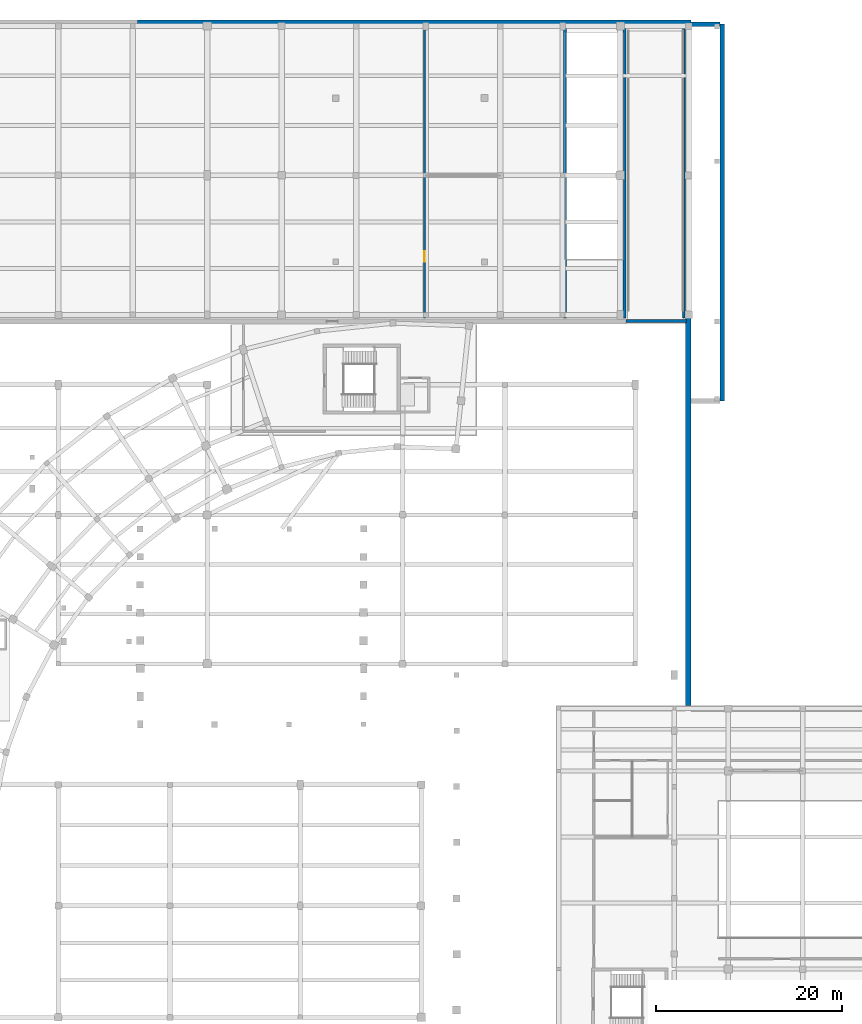
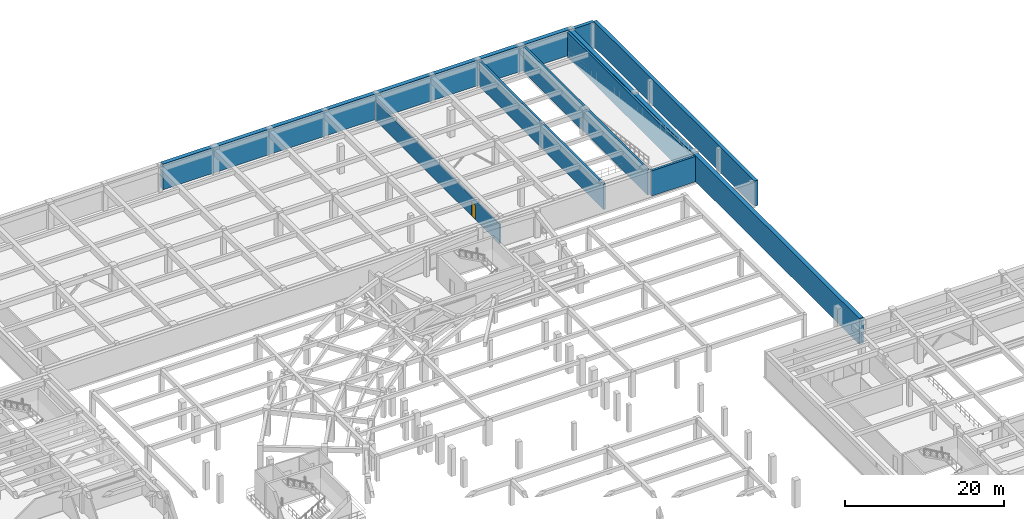
# One storey, part 26 of 35: 9 walls, 1 door, 1 opening.
"""IFC4 building model written with IfcOpenShell, lengths in metres."""

from ifc_helpers import new_model, si_unit, direction, frame, frame_2d, origin, place, context, subcontext, project, spatial, rectangle, extrude, material, layer, layer_set, type_object, element, fill, save


model = new_model("IFC4")

# Units and contexts
model_context = context("Model", 3, precision=1e-05, world=origin(), true_north=direction((0.0, 1.0)))
body_context = subcontext(model_context, "Body", "Model", "MODEL_VIEW")
ifc_project = project(units=[si_unit("LENGTHUNIT", "METRE"), si_unit("AREAUNIT", "SQUARE_METRE"), si_unit("VOLUMEUNIT", "CUBIC_METRE"), si_unit("PLANEANGLEUNIT", "RADIAN"), si_unit("MASSUNIT", "GRAM", prefix="KILO"), si_unit("THERMODYNAMICTEMPERATUREUNIT", "KELVIN"), si_unit("POWERUNIT", "WATT")], contexts=[model_context])

# Site, building, storey
site_placement = place(None, origin())
site = spatial("IfcSite", under=ifc_project, at=site_placement, CompositionType="ELEMENT")
building_placement = place(site_placement, origin())
building = spatial("IfcBuilding", under=site, at=building_placement, Name="Solvatero Civic Police Headquarters", CompositionType="ELEMENT")
storey_placement = place(building_placement, frame((0.0, 0.0, -4.199951171875)))
storey = spatial("IfcBuildingStorey", under=building, at=storey_placement, Name="B01", CompositionType="ELEMENT", Elevation=-4.199951171875)

# Wall, opening, door
ifc_material_1 = material(Name="Concrete Blockwork", Category="masonry")
ifc_layer_1 = layer(ifc_material_1, 0.199951171875)
ifc_layer_set_1 = layer_set([ifc_layer_1], Name="Concrete Blockwork")
wall_type_1 = type_object("IfcWallType", Name="WL-PTN-200", PredefinedType="PARTITIONING", material=ifc_layer_set_1)
wall_1_placement = place(storey_placement, frame((95.35009765625, 85.199951171875, 0.0), z_axis=(0.0, 0.0, 1.0), x_axis=(0.0, 1.0, 0.0)))
wall_1 = element("IfcWall", 1, at=wall_1_placement, inside=storey, type_object=wall_type_1, Name="Interior Partition WLP-B01-EVCHG-W", PredefinedType="PARTITIONING", context=body_context, shape_type="SweptSolid", body=[
    extrude(rectangle(XDim=31.300048828125, YDim=0.199951171875, at=frame_2d((15.64990234375, 0.0))), origin(), (0.0, 0.0, 1.0), 2.969970703125),
])
opening_placement = place(wall_1_placement, frame((6.0, 0.0, 0.0)))
opening = element("IfcOpeningElement", 2, at=opening_placement, cuts=wall_1, Name="Opening ID-09", PredefinedType="OPENING", context=body_context, shape_type="SweptSolid", body=[
    extrude(rectangle(XDim=1.1201171875, YDim=2.199951171875, at=frame_2d((0.56005859375, 1.10009765625))), frame((0.0, 0.10986328125, 0.0), z_axis=(0.0, -1.0, 0.0), x_axis=(1.0, 0.0, 0.0)), (0.0, 0.0, 1.0), 0.219970703125),
])
ifc_material_2 = material(Name="Powder-Coated Steel", Category="steel")
door_type = type_object("IfcDoorType", Name="DR-PLT-112x220", OperationType="NOTDEFINED", PredefinedType="DOOR", material=ifc_material_2)
door_placement = place(opening_placement, origin())
door = element("IfcDoor", 3, at=door_placement, inside=storey, type_object=door_type, Name="Interior Door DR-B01-EVCHG", OperationType="SINGLE_SWING_LEFT", OverallHeight=2.199951171875, OverallWidth=1.1201171875, PredefinedType="DOOR", context=body_context, shape_type="SweptSolid", body=[
    extrude(rectangle(XDim=1.1201171875, YDim=2.199951171875, at=frame_2d((0.56005859375, 1.10009765625))), frame((0.0, 0.02490234375, 0.0), z_axis=(0.0, -1.0, 0.0), x_axis=(1.0, 0.0, 0.0)), (0.0, 0.0, 1.0), 0.050048828125),
])
fill(opening, door)

# Walls
ifc_material_3 = material(Name="Concrete C35/45", Category="concrete")
ifc_layer_2 = layer(ifc_material_3, 0.5)
ifc_layer_set_2 = layer_set([ifc_layer_2], Name="Concrete C35/45")
wall_type_2 = type_object("IfcWallType", Name="WL-RET-500", PredefinedType="USERDEFINED", material=ifc_layer_set_2)
wall_2_placement = place(storey_placement, frame((127.35009765625, 76.25, 0.0), z_axis=(0.0, 0.0, 1.0), x_axis=(0.0, 1.0, 0.0)))
element("IfcWall", 4, at=wall_2_placement, inside=storey, type_object=wall_type_2, Name="B01 Driveway Retaining Skirt E", ObjectType="RETAINING WALL", PredefinedType="USERDEFINED", context=body_context, shape_type="SweptSolid", body=[
    extrude(rectangle(XDim=40.5, YDim=0.5, at=frame_2d((20.25, 0.0))), origin(), (0.0, 0.0, 1.0), 3.89990234375),
])
wall_3_placement = place(storey_placement, frame((124.0, 116.75, 0.0), z_axis=(0.0, 0.0, 1.0), x_axis=(1.0, 0.0, 0.0)))
element("IfcWall", 5, at=wall_3_placement, inside=storey, type_object=wall_type_2, Name="B01 Driveway Retaining Skirt N", ObjectType="RETAINING WALL", PredefinedType="USERDEFINED", context=body_context, shape_type="SweptSolid", body=[
    extrude(rectangle(XDim=3.10009765625, YDim=0.5, at=frame_2d((1.550048828125, 0.0))), origin(), (0.0, 0.0, 1.0), 3.89990234375),
])
ifc_layer_3 = layer(ifc_material_3, 0.60009765625)
ifc_layer_set_3 = layer_set([ifc_layer_3], Name="Concrete C35/45")
wall_type_3 = type_object("IfcWallType", Name="WL-RET-600", PredefinedType="USERDEFINED", material=ifc_layer_set_3)
wall_4_placement = place(storey_placement, frame((123.699951171875, 43.5, 0.0), z_axis=(0.0, 0.0, 1.0), x_axis=(0.0, 1.0, 0.0)))
element("IfcWall", 6, at=wall_4_placement, inside=storey, type_object=wall_type_3, Name="B01 Watertight Tanked Retaining Wall RW-PERIM-NEE", ObjectType="RETAINING WALL", PredefinedType="USERDEFINED", context=body_context, shape_type="SweptSolid", body=[
    extrude(rectangle(XDim=73.10009765625, YDim=0.60009765625, at=frame_2d((36.550048828125, 0.0))), origin(), (0.0, 0.0, 1.0), 3.93994140625),
])
wall_5_placement = place(storey_placement, frame((64.5, 116.89990234375, 0.0), z_axis=(0.0, 0.0, 1.0), x_axis=(1.0, 0.0, 0.0)))
element("IfcWall", 7, at=wall_5_placement, inside=storey, type_object=wall_type_3, Name="B01 Watertight Tanked Retaining Wall RW-PERIM-N2", ObjectType="RETAINING WALL", PredefinedType="USERDEFINED", context=body_context, shape_type="SweptSolid", body=[
    extrude(rectangle(XDim=59.5, YDim=0.60009765625, at=frame_2d((29.75, 0.0))), origin(), (0.0, 0.0, 1.0), 3.93994140625),
])
ifc_material_4 = material(Name="Concrete C40/50", Category="concrete")
ifc_layer_4 = layer(ifc_material_4, 0.300048828125)
ifc_layer_set_4 = layer_set([ifc_layer_4], Name="Concrete C40/50")
wall_type_4 = type_object("IfcWallType", Name="WL-SHR-300", PredefinedType="SHEAR", material=ifc_layer_set_4)
for number, where, z_axis, x_axis, name in (
    (8, (110.449951171875, 85.14990234375, 0.0), (0.0, 0.0, 1.0), (0.0, 1.0, 0.0), "B01 Vehicle Ramp Support Wall 1"),
    (9, (116.85009765625, 85.14990234375, 0.0), (0.0, 0.0, 1.0), (0.0, 1.0, 0.0), "B01 Vehicle Ramp Support Wall 2"),
    (10, (123.22998046875, 85.14990234375, 0.0), (0.0, 0.0, 1.0), (0.0, 1.0, 0.0), "B01 Vehicle Ramp Support Wall 3"),
):
    element("IfcWall", number, at=place(storey_placement, frame(where, z_axis=z_axis, x_axis=x_axis)), inside=storey, type_object=wall_type_4, Name=name, PredefinedType="SHEAR", context=body_context, shape_type="SweptSolid", body=[
        extrude(rectangle(XDim=31.2001953125, YDim=0.300048828125, at=frame_2d((15.60009765625, 0.0))), origin(), (0.0, 0.0, 1.0), 3.8798828125),
    ])
ifc_layer_5 = layer(ifc_material_4, 0.35009765625)
ifc_layer_set_5 = layer_set([ifc_layer_5], Name="Concrete C40/50")
wall_type_5 = type_object("IfcWallType", Name="WL-SHR-350", PredefinedType="SHEAR", material=ifc_layer_set_5)
wall_6_placement = place(storey_placement, frame((117.0, 84.85009765625, 0.0), z_axis=(0.0, 0.0, 1.0), x_axis=(1.0, 0.0, 0.0)))
element("IfcWall", 11, at=wall_6_placement, inside=storey, type_object=wall_type_5, Name="B01 Ramp VR-02 Top Bearing Wall", PredefinedType="SHEAR", context=body_context, shape_type="SweptSolid", body=[
    extrude(rectangle(XDim=6.5, YDim=0.35009765625, at=frame_2d((3.25, 0.0))), origin(), (0.0, 0.0, 1.0), 3.8798828125),
])

save(model, "model.ifc")
